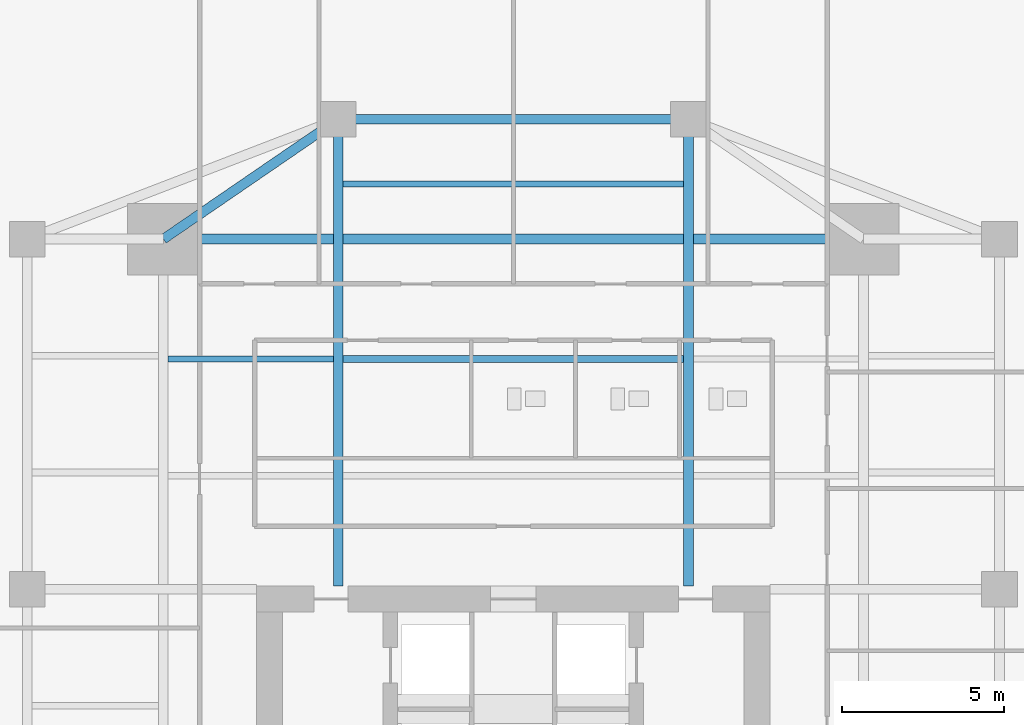
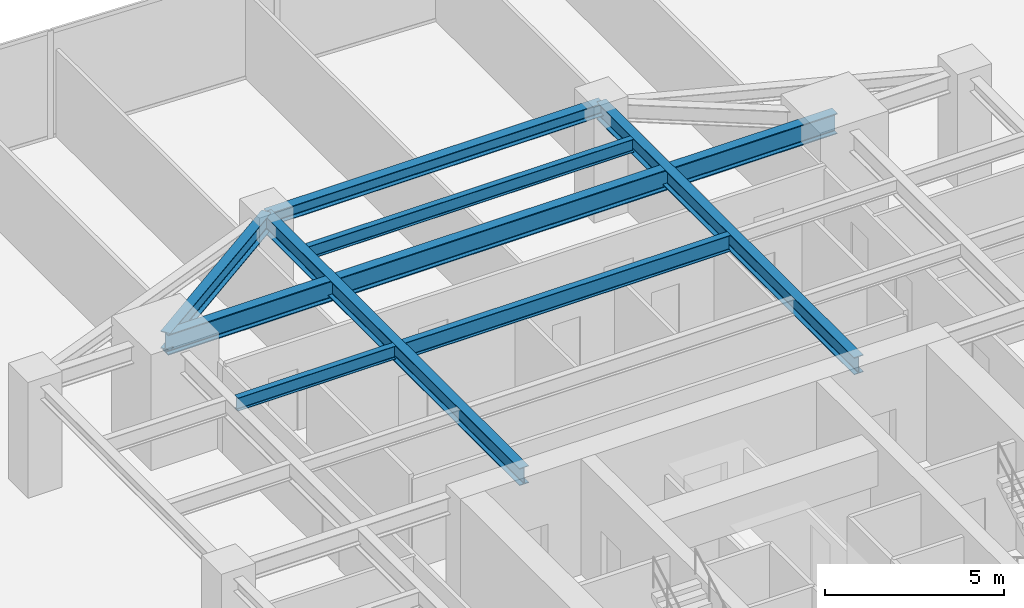
# One storey, part 20 of 30: 8 beams.
"""IFC4 building model written with IfcOpenShell, lengths in metres."""

from ifc_helpers import new_model, si_unit, direction, frame, origin, origin_2d, place, context, subcontext, project, spatial, i_section, extrude, source, transform, mapped, material, material_profile, profile_set, type_object, type_shapes, element, save


model = new_model("IFC4")

# Units and contexts
model_context = context("Model", 3, precision=1e-05, world=origin(), true_north=direction((0.0, 1.0)))
body_context = subcontext(model_context, "Body", "Model", "MODEL_VIEW")
ifc_project = project(units=[si_unit("LENGTHUNIT", "METRE"), si_unit("AREAUNIT", "SQUARE_METRE"), si_unit("VOLUMEUNIT", "CUBIC_METRE"), si_unit("PLANEANGLEUNIT", "RADIAN"), si_unit("MASSUNIT", "GRAM", prefix="KILO")], contexts=[model_context])

# Site, building, storey
site_placement = place(None, origin())
site = spatial("IfcSite", under=ifc_project, at=site_placement, CompositionType="ELEMENT")
building_placement = place(site_placement, origin())
building = spatial("IfcBuilding", under=site, at=building_placement, Name="Krantzveldt Concourse Tower", CompositionType="ELEMENT")
storey_placement = place(building_placement, frame((0.0, 0.0, 40.800048828125)))
storey = spatial("IfcBuildingStorey", under=building, at=storey_placement, Name="L09", CompositionType="ELEMENT", Elevation=40.800048828125)

# Beams
ifc_material_1 = material(Name="Steel S355J2", Category="steel")
ifc_material_profile_1 = material_profile(ifc_material_1, i_section(OverallWidth=0.300048828125, OverallDepth=0.699951171875, WebThickness=0.01708984375, FlangeThickness=0.031982421875, FilletRadius=0.027099609375, at=origin_2d()), Name="Steel S355J2", Category="steel")
ifc_profile_set_1 = profile_set([ifc_material_profile_1], Name="Steel S355J2 - HEB 700")
beam_type_1 = type_object("IfcBeamType", Name="BM-B-HEB700", PredefinedType="BEAM", material=ifc_profile_set_1)
shared_shape_1 = source(origin(), body_context, "Body", "SweptSolid", [
    extrude(i_section(OverallWidth=0.300048828125, OverallDepth=0.699951171875, WebThickness=0.01708984375, FlangeThickness=0.031982421875, FilletRadius=0.027099609375, at=origin_2d()), origin(), (0.0, 0.0, 1.0), 21.60009765625),
])
type_shapes(beam_type_1, [shared_shape_1])
beam_1_placement = place(storey_placement, frame((25.199951171875, 37.5, 3.320068359375), z_axis=(1.0, 0.0, 0.0), x_axis=(0.0, 1.0, 0.0)))
element("IfcBeam", 1, at=beam_1_placement, inside=storey, type_object=beam_type_1, Name="L09 Tower Girder BG-MN", PredefinedType="BEAM", context=body_context, shape_type="MappedRepresentation", body=[
    mapped(shared_shape_1, transform((0.0, 0.0, 0.0), x_axis=(1.0, 0.0, 0.0), y_axis=(0.0, 1.0, 0.0), z_axis=(0.0, 0.0, 1.0), scale=1.0)),
])
ifc_material_2 = material(Name="Steel S355JR", Category="steel")
ifc_material_profile_2 = material_profile(ifc_material_2, i_section(OverallWidth=0.300048828125, OverallDepth=0.590087890625, WebThickness=0.012939453125, FlangeThickness=0.02490234375, FilletRadius=0.027099609375, at=origin_2d()), Name="Steel S355JR", Category="steel")
ifc_profile_set_2 = profile_set([ifc_material_profile_2], Name="Steel S355JR - HEA 600")
beam_type_2 = type_object("IfcBeamType", Name="BM-B-HEA600", PredefinedType="BEAM", material=ifc_profile_set_2)
shared_shape_2 = source(origin(), body_context, "Body", "SweptSolid", [
    extrude(i_section(OverallWidth=0.300048828125, OverallDepth=0.590087890625, WebThickness=0.012939453125, FlangeThickness=0.02490234375, FilletRadius=0.027099609375, at=origin_2d()), origin(), (0.0, 0.0, 1.0), 14.39990234375),
])
for number, where, z_axis, x_axis, name in (
    (2, (30.60009765625, 26.800048828125, 3.375), (0.0, 1.0, 0.0), (-1.0, 0.0, 0.0), "L09 Tower Girder BG-CNW"),
    (3, (41.39990234375, 26.800048828125, 3.375), (0.0, 1.0, 0.0), (-1.0, 0.0, 0.0), "L09 Tower Girder BG-CNE"),
):
    element("IfcBeam", number, at=place(storey_placement, frame(where, z_axis=z_axis, x_axis=x_axis)), inside=storey, type_object=beam_type_2, Name=name, PredefinedType="BEAM", context=body_context, shape_type="MappedRepresentation", body=[
        mapped(shared_shape_2, transform((0.0, 0.0, 0.0), x_axis=(1.0, 0.0, 0.0), y_axis=(0.0, 1.0, 0.0), z_axis=(0.0, 0.0, 1.0), scale=1.0)),
    ])
ifc_material_profile_3 = material_profile(ifc_material_2, i_section(OverallWidth=0.300048828125, OverallDepth=0.43994140625, WebThickness=0.011474609375, FlangeThickness=0.02099609375, FilletRadius=0.027099609375, at=origin_2d()), Name="Steel S355JR", Category="steel")
ifc_profile_set_3 = profile_set([ifc_material_profile_3], Name="Steel S355JR - HEA 450")
beam_type_3 = type_object("IfcBeamType", Name="BM-SP-HEA450", PredefinedType="SPANDREL", material=ifc_profile_set_3)
shared_shape_3 = source(origin(), body_context, "Body", "SweptSolid", [
    extrude(i_section(OverallWidth=0.300048828125, OverallDepth=0.43994140625, WebThickness=0.011474609375, FlangeThickness=0.02099609375, FilletRadius=0.027099609375, at=origin_2d()), origin(), (0.0, 0.0, 1.0), 10.7998046875),
])
type_shapes(beam_type_3, [shared_shape_3])
beam_2_placement = place(storey_placement, frame((30.60009765625, 41.199951171875, 3.449951171875), z_axis=(1.0, 0.0, 0.0), x_axis=(0.0, 1.0, 0.0)))
element("IfcBeam", 4, at=beam_2_placement, inside=storey, type_object=beam_type_3, Name="L09 Tower Girder SP-R04", PredefinedType="SPANDREL", context=body_context, shape_type="MappedRepresentation", body=[
    mapped(shared_shape_3, transform((0.0, 0.0, 0.0), x_axis=(1.0, 0.0, 0.0), y_axis=(0.0, 1.0, 0.0), z_axis=(0.0, 0.0, 1.0), scale=1.0)),
])
shared_shape_4 = source(origin(), body_context, "Body", "SweptSolid", [
    extrude(i_section(OverallWidth=0.300048828125, OverallDepth=0.590087890625, WebThickness=0.012939453125, FlangeThickness=0.02490234375, FilletRadius=0.027099609375, at=origin_2d()), origin(), (0.0, 0.0, 1.0), 6.546142578125),
])
type_shapes(beam_type_2, [shared_shape_2, shared_shape_4])
beam_3_placement = place(storey_placement, frame((25.199951171875, 37.5, 3.375), z_axis=(0.824942999484, 0.565215930068, 0.0), x_axis=(-0.565215930068, 0.824942999484, 0.0)))
element("IfcBeam", 5, at=beam_3_placement, inside=storey, type_object=beam_type_2, Name="L09 Tower Girder BR-RL4", PredefinedType="BEAM", context=body_context, shape_type="MappedRepresentation", body=[
    mapped(shared_shape_4, transform((0.0, 0.0, 0.0), x_axis=(1.0, 0.0, 0.0), y_axis=(0.0, 1.0, 0.0), z_axis=(0.0, 0.0, 1.0), scale=1.0)),
])
ifc_material_profile_4 = material_profile(ifc_material_2, i_section(OverallWidth=0.2099609375, OverallDepth=0.550048828125, WebThickness=0.010986328125, FlangeThickness=0.01708984375, FilletRadius=0.02392578125, at=origin_2d()), Name="Steel S355JR", Category="steel")
ifc_profile_set_4 = profile_set([ifc_material_profile_4], Name="Steel S355JR - IPE 550")
beam_type_4 = type_object("IfcBeamType", Name="BM-J-IPE550", PredefinedType="JOIST", material=ifc_profile_set_4)
shared_shape_5 = source(origin(), body_context, "Body", "SweptSolid", [
    extrude(i_section(OverallWidth=0.2099609375, OverallDepth=0.550048828125, WebThickness=0.010986328125, FlangeThickness=0.01708984375, FilletRadius=0.02392578125, at=origin_2d()), origin(), (0.0, 0.0, 1.0), 10.5),
])
type_shapes(beam_type_4, [shared_shape_5])
beam_4_placement = place(storey_placement, frame((30.75, 33.800048828125, 3.39501953125), z_axis=(1.0, 0.0, 0.0), x_axis=(0.0, 1.0, 0.0)))
element("IfcBeam", 6, at=beam_4_placement, inside=storey, type_object=beam_type_4, Name="L09 Secondary Floor Joist JN-C2", PredefinedType="JOIST", context=body_context, shape_type="MappedRepresentation", body=[
    mapped(shared_shape_5, transform((0.0, 0.0, 0.0), x_axis=(1.0, 0.0, 0.0), y_axis=(0.0, 1.0, 0.0), z_axis=(0.0, 0.0, 1.0), scale=1.0)),
])
ifc_material_profile_5 = material_profile(ifc_material_2, i_section(OverallWidth=0.18994140625, OverallDepth=0.449951171875, WebThickness=0.009521484375, FlangeThickness=0.0146484375, FilletRadius=0.02099609375, at=origin_2d()), Name="Steel S355JR", Category="steel")
ifc_profile_set_5 = profile_set([ifc_material_profile_5], Name="Steel S355JR - IPE 450")
beam_type_5 = type_object("IfcBeamType", Name="BM-J-IPE450", PredefinedType="JOIST", material=ifc_profile_set_5)
shared_shape_6 = source(origin(), body_context, "Body", "SweptSolid", [
    extrude(i_section(OverallWidth=0.18994140625, OverallDepth=0.449951171875, WebThickness=0.009521484375, FlangeThickness=0.0146484375, FilletRadius=0.02099609375, at=origin_2d()), origin(), (0.0, 0.0, 1.0), 10.5),
])
beam_5_placement = place(storey_placement, frame((30.75, 39.199951171875, 3.445068359375), z_axis=(1.0, 0.0, 0.0), x_axis=(0.0, 1.0, 0.0)))
element("IfcBeam", 7, at=beam_5_placement, inside=storey, type_object=beam_type_5, Name="L09 Secondary Floor Joist JN-C3", PredefinedType="JOIST", context=body_context, shape_type="MappedRepresentation", body=[
    mapped(shared_shape_6, transform((0.0, 0.0, 0.0), x_axis=(1.0, 0.0, 0.0), y_axis=(0.0, 1.0, 0.0), z_axis=(0.0, 0.0, 1.0), scale=1.0)),
])
shared_shape_7 = source(origin(), body_context, "Body", "SweptSolid", [
    extrude(i_section(OverallWidth=0.18994140625, OverallDepth=0.449951171875, WebThickness=0.009521484375, FlangeThickness=0.0146484375, FilletRadius=0.02099609375, at=origin_2d()), origin(), (0.0, 0.0, 1.0), 5.099853515625),
])
type_shapes(beam_type_5, [shared_shape_6, shared_shape_7])
beam_6_placement = place(storey_placement, frame((25.35009765625, 33.800048828125, 3.445068359375), z_axis=(1.0, 0.0, 0.0), x_axis=(0.0, 1.0, 0.0)))
element("IfcBeam", 8, at=beam_6_placement, inside=storey, type_object=beam_type_5, Name="L09 Secondary Floor Joist JN-W2", PredefinedType="JOIST", context=body_context, shape_type="MappedRepresentation", body=[
    mapped(shared_shape_7, transform((0.0, 0.0, 0.0), x_axis=(1.0, 0.0, 0.0), y_axis=(0.0, 1.0, 0.0), z_axis=(0.0, 0.0, 1.0), scale=1.0)),
])

save(model, "model.ifc")
